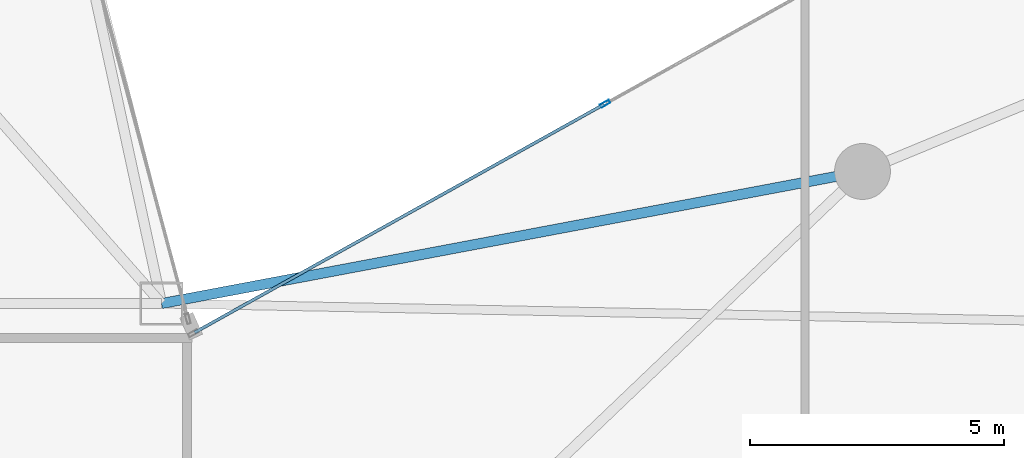
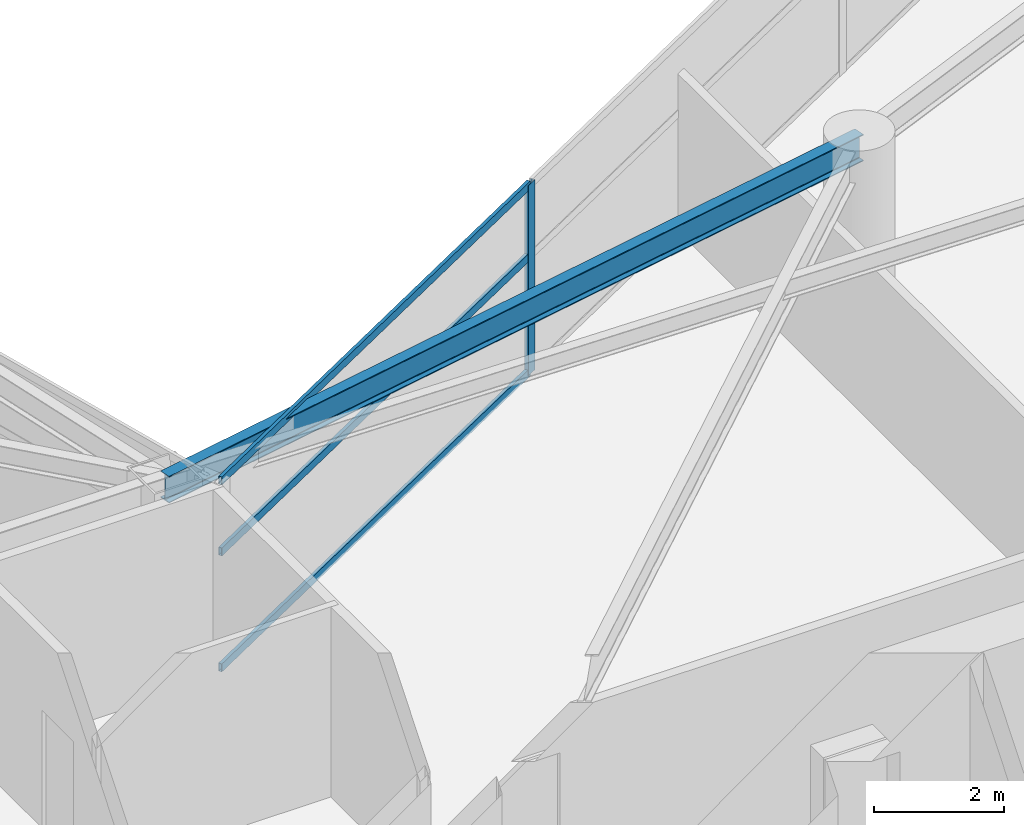
# One storey, part 11 of 29: 4 members, 1 beam, 1 element without a shape of its own.
"""IFC4 building model written with IfcOpenShell, lengths in metres."""

import ifcopenshell
import ifcopenshell.guid

model = None  # the IFC model being written
_history = None  # IfcOwnerHistory: only IFC2X3 demands one
_inside = {}  # id of a spatial element -> (the spatial element, [elements in it])
_under = {}  # id of a project, library or spatial element -> (it, [spatial elements below it])
_declared = {}  # id of a project -> (the project, [libraries it declares])
_typed = {}  # id of a type object -> (the type object, [elements of that type])
_made_of = {}  # id of a material, layer set ... -> (it, [elements and type objects made of it])


def new_model(schema):
    """Start an empty IFC model of exactly this schema.

    Asked for "IFC4X3", IfcOpenShell would pick the latest addendum, in which some entities
    have other attributes; the version numbers below select the first issue.
    IFC2X3 requires an IfcOwnerHistory on every rooted entity: one is made here for all.
    """
    global model, _history
    if schema == "IFC4X3":
        model = ifcopenshell.file(schema_version=(4, 3, 0, 0))
    else:
        model = ifcopenshell.file(schema=schema)
    _inside.clear()
    _under.clear()
    _declared.clear()
    _typed.clear()
    _made_of.clear()
    _history = None
    if model.schema == "IFC2X3":
        org = make("IfcOrganization", Name="unknown")
        user = make(
            "IfcPersonAndOrganization",
            ThePerson=make("IfcPerson", FamilyName="unknown"),
            TheOrganization=org,
        )
        app = make(
            "IfcApplication",
            ApplicationDeveloper=org,
            Version="unknown",
            ApplicationFullName="unknown",
            ApplicationIdentifier="unknown",
        )
        _history = make(
            "IfcOwnerHistory",
            OwningUser=user,
            OwningApplication=app,
            ChangeAction="ADDED",
            CreationDate=0,
        )
    return model


def make(cls, **values):
    """One entity of the class cls with the attributes given. An attribute that is None is left unset."""
    return model.create_entity(
        cls, **{name: value for name, value in values.items() if value is not None}
    )


def rooted(cls, **values):
    """An entity with a GlobalId (a new one), such as an element, a storey or a relation."""
    return make(cls, GlobalId=ifcopenshell.guid.new(), OwnerHistory=_history, **values)


def si_unit(unit_type, name, prefix=None):
    """IfcSIUnit, for example si_unit("LENGTHUNIT", "METRE", prefix="MILLI")."""
    return make("IfcSIUnit", UnitType=unit_type, Prefix=prefix, Name=name)


def assignment(units):
    """IfcUnitAssignment: the units of a project."""
    return None if units is None else make("IfcUnitAssignment", Units=units)


def point(xyz):
    """IfcCartesianPoint."""
    return None if xyz is None else make("IfcCartesianPoint", Coordinates=xyz)


def direction(xyz):
    """IfcDirection."""
    return None if xyz is None else make("IfcDirection", DirectionRatios=xyz)


def frame(location, z_axis=None, x_axis=None):
    """IfcAxis2Placement3D, a coordinate frame: its origin and axes. An axis left out is left unset."""
    return make(
        "IfcAxis2Placement3D",
        Location=point(location),
        Axis=direction(z_axis),
        RefDirection=direction(x_axis),
    )


def frame_2d(location, x_axis=None):
    """IfcAxis2Placement2D, a coordinate frame in the plane: its origin and x axis."""
    return make(
        "IfcAxis2Placement2D", Location=point(location), RefDirection=direction(x_axis)
    )


def origin():
    """The frame at (0, 0, 0) with its axes left unset."""
    return frame((0.0, 0.0, 0.0))


def origin_2d():
    """The frame at (0, 0) in the plane with its x axis left unset."""
    return frame_2d((0.0, 0.0))


def place(relative_to, where):
    """IfcLocalPlacement: puts the frame where relative to a parent placement (None: the world)."""
    return make(
        "IfcLocalPlacement", PlacementRelTo=relative_to, RelativePlacement=where
    )


def context(
    kind, dimensions, precision=None, world=None, true_north=None, identifier=None
):
    """IfcGeometricRepresentationContext, for example the 3D "Model" context."""
    return make(
        "IfcGeometricRepresentationContext",
        ContextIdentifier=identifier,
        ContextType=kind,
        CoordinateSpaceDimension=dimensions,
        Precision=precision,
        WorldCoordinateSystem=world,
        TrueNorth=true_north,
    )


def subcontext(parent, identifier, kind, view, scale=None):
    """IfcGeometricRepresentationSubContext, for example "Body" below "Model"."""
    return make(
        "IfcGeometricRepresentationSubContext",
        ContextIdentifier=identifier,
        ContextType=kind,
        ParentContext=parent,
        TargetScale=scale,
        TargetView=view,
    )


def project(units=None, contexts=None):
    """IfcProject with its units and contexts."""
    return rooted(
        "IfcProject",
        Name="project",
        RepresentationContexts=contexts,
        UnitsInContext=assignment(units),
    )


def spatial(cls, under=None, at=None, **own):
    """A site, building, storey or space (cls), placed at a placement, below another one or the project."""
    s = rooted(cls, ObjectPlacement=at, **own)
    if under is not None:
        _under.setdefault(under.id(), (under, []))[1].append(s)
    return s


def profile(cls, at=None, kind="AREA", **sizes):
    """A parametric profile (cls). Its sizes go by their IFC names, for example OverallWidth=200.0."""
    return make(cls, ProfileType=kind, Position=at, **sizes)


def hollow_rectangle(**sizes):
    """IfcRectangleHollowProfileDef."""
    return profile("IfcRectangleHollowProfileDef", **sizes)


def i_section(**sizes):
    """IfcIShapeProfileDef."""
    return profile("IfcIShapeProfileDef", **sizes)


def extrude(swept, where, along, depth):
    """IfcExtrudedAreaSolid: the profile swept, set in the frame where, extruded along a direction by depth."""
    return make(
        "IfcExtrudedAreaSolid",
        SweptArea=swept,
        Position=where,
        ExtrudedDirection=direction(along),
        Depth=depth,
    )


def shape(context_of_items, identifier, shape_type, items):
    """IfcShapeRepresentation: the items that make up one representation, for example the "Body"."""
    return make(
        "IfcShapeRepresentation",
        ContextOfItems=context_of_items,
        RepresentationIdentifier=identifier,
        RepresentationType=shape_type,
        Items=items,
    )


def material(Name=None, Category=None):
    """IfcMaterial."""
    return make("IfcMaterial", Name=Name, Category=Category)


def layer(
    of_material, thickness, ventilated=None, Name=None, Category=None, Priority=None
):
    """IfcMaterialLayer: one layer of a wall or slab, of a material (None: an air gap)."""
    return make(
        "IfcMaterialLayer",
        Material=of_material,
        LayerThickness=thickness,
        IsVentilated=ventilated,
        Name=Name,
        Category=Category,
        Priority=Priority,
    )


def layer_set(layers, Name=None):
    """IfcMaterialLayerSet."""
    return make("IfcMaterialLayerSet", MaterialLayers=layers, LayerSetName=Name)


def material_profile(
    of_material, cross_section, Name=None, Category=None, Priority=None
):
    """IfcMaterialProfile: a cross section and its material."""
    return make(
        "IfcMaterialProfile",
        Name=Name,
        Material=of_material,
        Profile=cross_section,
        Priority=Priority,
        Category=Category,
    )


def profile_set(profiles, Name=None, composite=None):
    """IfcMaterialProfileSet."""
    return make(
        "IfcMaterialProfileSet",
        Name=Name,
        MaterialProfiles=profiles,
        CompositeProfile=composite,
    )


def made_of(thing, what):
    """Note that an element or type object is made of a material, layer set ...; save() writes the relation."""
    if what is not None:
        _made_of.setdefault(what.id(), (what, []))[1].append(thing)
    return thing


def type_object(cls, material=None, **own):
    """A type object (cls), such as IfcWallType, which elements share."""
    return made_of(rooted(cls, **own), material)


def element(
    cls,
    number,
    at=None,
    inside=None,
    cuts=None,
    type_object=None,
    material=None,
    context=None,
    identifier="Body",
    shape_type=None,
    held_by="IfcProductDefinitionShape",
    body=None,
    shapes=None,
    **own,
):
    """One element of the class cls, such as IfcWall. Its Tag is "e" and its number.

    at: its placement. inside: the storey or other place that contains it. cuts: it is an
    opening in that element (IfcRelVoidsElement). A single representation is given by context,
    identifier, shape_type and body (its items); several are given by shapes. held_by: the class
    of the entity that holds the representations. save() writes the other relations.
    """
    e = rooted(cls, Tag="e%d" % number, ObjectPlacement=at, **own)
    if body is not None:
        shapes = [shape(context, identifier, shape_type, body)]
    if shapes is not None:
        e.Representation = make(held_by, Representations=shapes)
    if inside is not None:
        _inside.setdefault(inside.id(), (inside, []))[1].append(e)
    if cuts is not None:
        rooted(
            "IfcRelVoidsElement", RelatingBuildingElement=cuts, RelatedOpeningElement=e
        )
    if type_object is not None:
        _typed.setdefault(type_object.id(), (type_object, []))[1].append(e)
    return made_of(e, material)


def aggregate(whole, parts):
    """IfcRelAggregates: a whole, such as a stair, and the parts it consists of."""
    return rooted("IfcRelAggregates", RelatingObject=whole, RelatedObjects=parts)


def save(model, path):
    """Write the relations noted so far, then the file.

    IfcRelAggregates (storeys below a building ...), IfcRelContainedInSpatialStructure (elements
    in a storey), IfcRelDefinesByType, IfcRelAssociatesMaterial and IfcRelDeclares: one each for
    every whole, place, type object, material and project.
    """
    for whole, parts in _under.values():
        aggregate(whole, parts)
    for where, things in _inside.values():
        rooted(
            "IfcRelContainedInSpatialStructure",
            RelatedElements=things,
            RelatingStructure=where,
        )
    for kind, things in _typed.values():
        rooted("IfcRelDefinesByType", RelatedObjects=things, RelatingType=kind)
    for what, things in _made_of.values():
        rooted("IfcRelAssociatesMaterial", RelatedObjects=things, RelatingMaterial=what)
    for by, libraries in _declared.values():
        rooted("IfcRelDeclares", RelatingContext=by, RelatedDefinitions=libraries)
    model.write(path)


model = new_model("IFC4")

# Units and contexts
model_context = context("Model", 3, precision=1e-05, world=origin(), true_north=direction((0.0, 1.0)))
body_context = subcontext(model_context, "Body", "Model", "MODEL_VIEW")
ifc_project = project(units=[si_unit("LENGTHUNIT", "METRE"), si_unit("AREAUNIT", "SQUARE_METRE"), si_unit("VOLUMEUNIT", "CUBIC_METRE"), si_unit("PLANEANGLEUNIT", "RADIAN"), si_unit("MASSUNIT", "GRAM", prefix="KILO")], contexts=[model_context])

# Site, building, storey
site_placement = place(None, origin())
site = spatial("IfcSite", under=ifc_project, at=site_placement, CompositionType="ELEMENT")
building_placement = place(site_placement, origin())
building = spatial("IfcBuilding", under=site, at=building_placement, Name="Calvorn Quay Hotel", CompositionType="ELEMENT")
storey_placement = place(building_placement, frame((0.0, 0.0, 167.5)))
storey = spatial("IfcBuildingStorey", under=building, at=storey_placement, Name="L41", CompositionType="ELEMENT", Elevation=167.5)

# Beam
ifc_material_1 = material(Name="Steel Q355B", Category="steel")
ifc_material_profile_1 = material_profile(ifc_material_1, i_section(OverallWidth=0.199951171875, OverallDepth=0.5, WebThickness=0.010009765625, FlangeThickness=0.01611328125, FilletRadius=0.01611328125, at=origin_2d()), Name="HN500x200x10x16")
ifc_profile_set_1 = profile_set([ifc_material_profile_1], Name="Steel Q355B")
beam_type = type_object("IfcBeamType", Name="BM-SPANDREL-Z1", PredefinedType="SPANDREL", material=ifc_profile_set_1)
beam_placement = place(storey_placement, frame((34.800048828125, 27.60009765625, 3.2900390625), z_axis=(-0.982709432406, -0.185154452988, 0.0), x_axis=(0.185154452988, -0.982709432406, 0.0)))
element("IfcBeam", 1, at=beam_placement, inside=storey, type_object=beam_type, Name="Beam BSP-L41-E5", PredefinedType="SPANDREL", context=body_context, shape_type="SweptSolid", body=[
    extrude(i_section(OverallWidth=0.199951171875, OverallDepth=0.5, WebThickness=0.010009765625, FlangeThickness=0.01611328125, FilletRadius=0.01611328125, at=origin_2d()), origin(), (0.0, 0.0, 1.0), 14.04296875),
])

# Curtain wall, members
ifc_material_2 = material(Name="Pale Anodised Aluminium and Low-E Glass", Category="aluminium")
ifc_layer = layer(ifc_material_2, 0.219970703125)
ifc_layer_set = layer_set([ifc_layer], Name="CW-SYS-Z2")
curtain_wall_type = type_object("IfcCurtainWallType", Name="CW-SYS-Z2", PredefinedType="NOTDEFINED", material=ifc_layer_set)
curtain_wall_placement = place(storey_placement, origin())
curtain_wall = element("IfcCurtainWall", 2, at=curtain_wall_placement, inside=storey, type_object=curtain_wall_type, Name="Inner Court Curtain Wall L41-NE1", PredefinedType="NOTDEFINED")
ifc_material_3 = material(Name="Pale Anodised Aluminium 6063-T6", Category="aluminium")
ifc_material_profile_2 = material_profile(ifc_material_3, hollow_rectangle(XDim=0.070068359375, YDim=0.199951171875, WallThickness=0.00390625, at=origin_2d()), Name="ALU-M200x70x4")
ifc_profile_set_2 = profile_set([ifc_material_profile_2], Name="Pale Anodised Aluminium 6063-T6")
member_type_1 = type_object("IfcMemberType", Name="CW-SYS-Z2-MUL", PredefinedType="MULLION", material=ifc_profile_set_2)
member_1_placement = place(storey_placement, frame((29.7333984375, 28.933349609375, 0.0), z_axis=(0.0, 0.0, 1.0), x_axis=(0.486858256224, -0.873480989116, 0.0)))
member_1 = element("IfcMember", 3, at=member_1_placement, type_object=member_type_1, Name="CW-L41-NE1 mullion 3", PredefinedType="MULLION", context=body_context, shape_type="SweptSolid", body=[
    extrude(hollow_rectangle(XDim=0.070068359375, YDim=0.199951171875, WallThickness=0.00390625, at=origin_2d()), origin(), (0.0, 0.0, 1.0), 3.56005859375),
])
ifc_material_4 = material(Name="Pale Anodised Aluminium 6063-T6", Category="aluminium")
ifc_material_profile_3 = material_profile(ifc_material_4, hollow_rectangle(XDim=0.06005859375, YDim=0.14990234375, WallThickness=0.00341796875, at=origin_2d()), Name="ALU-T150x60x3.5")
ifc_profile_set_3 = profile_set([ifc_material_profile_3], Name="Pale Anodised Aluminium 6063-T6")
member_type_2 = type_object("IfcMemberType", Name="CW-SYS-Z2-TRN", PredefinedType="USERDEFINED", material=ifc_profile_set_3)
member_2_placement = place(storey_placement, frame((29.70703125, 28.918701171875, 0.030029296875), z_axis=(-0.87348080454, -0.486858587375, 0.0), x_axis=(0.486858587375, -0.87348080454, 0.0)))
member_2 = element("IfcMember", 4, at=member_2_placement, type_object=member_type_2, Name="CW-L41-NE1 transom 3.1", ObjectType="TRANSOM", PredefinedType="USERDEFINED", context=body_context, shape_type="SweptSolid", body=[
    extrude(hollow_rectangle(XDim=0.06005859375, YDim=0.14990234375, WallThickness=0.00341796875, at=origin_2d()), origin(), (0.0, 0.0, 1.0), 9.221435546875),
])
member_3_placement = place(storey_placement, frame((29.70703125, 28.918701171875, 2.199951171875), z_axis=(-0.87348080454, -0.486858587375, 0.0), x_axis=(0.486858587375, -0.87348080454, 0.0)))
member_3 = element("IfcMember", 5, at=member_3_placement, type_object=member_type_2, Name="CW-L41-NE1 transom 3.2", ObjectType="TRANSOM", PredefinedType="USERDEFINED", context=body_context, shape_type="SweptSolid", body=[
    extrude(hollow_rectangle(XDim=0.06005859375, YDim=0.14990234375, WallThickness=0.00341796875, at=origin_2d()), origin(), (0.0, 0.0, 1.0), 9.221435546875),
])
member_4_placement = place(storey_placement, frame((29.70703125, 28.918701171875, 3.530029296875), z_axis=(-0.87348080454, -0.486858587375, 0.0), x_axis=(0.486858587375, -0.87348080454, 0.0)))
member_4 = element("IfcMember", 6, at=member_4_placement, type_object=member_type_2, Name="CW-L41-NE1 transom 3.3", ObjectType="TRANSOM", PredefinedType="USERDEFINED", context=body_context, shape_type="SweptSolid", body=[
    extrude(hollow_rectangle(XDim=0.06005859375, YDim=0.14990234375, WallThickness=0.00341796875, at=origin_2d()), origin(), (0.0, 0.0, 1.0), 9.221435546875),
])
aggregate(curtain_wall, [member_1, member_2, member_3, member_4])

save(model, "model.ifc")
